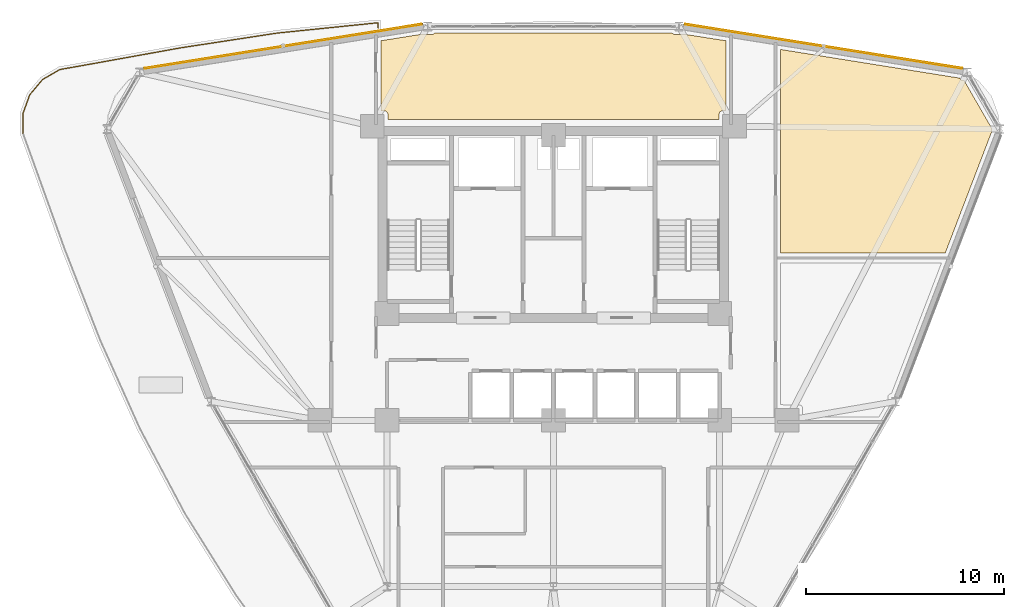
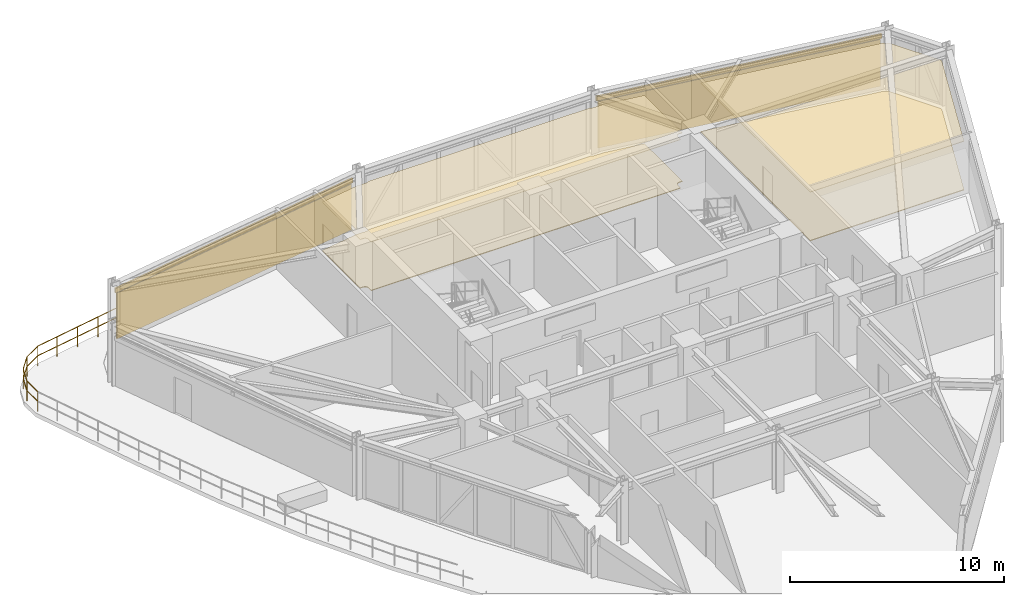
# One storey, part 18 of 18: 6 coverings, 2 shading devices, 1 railing.
"""IFC4 building model written with IfcOpenShell, lengths in metres."""

from ifc_helpers import new_model, si_unit, derived_unit, direction, frame, origin, origin_2d, place, context, subcontext, project, spatial, polyline, hollow_rectangle, circle, outline, extrude, source, transform, mapped, material, layer, layer_set, material_profile, profile_set, type_object, element, save


model = new_model("IFC4")

# Units and contexts
model_context = context("Model", 3, precision=1e-05, world=origin(), true_north=direction((0.0, 1.0)))
body_context = subcontext(model_context, "Body", "Model", "MODEL_VIEW")
ifc_project = project(units=[si_unit("LENGTHUNIT", "METRE"), si_unit("AREAUNIT", "SQUARE_METRE"), si_unit("VOLUMEUNIT", "CUBIC_METRE"), si_unit("PLANEANGLEUNIT", "RADIAN"), si_unit("MASSUNIT", "GRAM", prefix="KILO"), derived_unit("THERMALTRANSMITTANCEUNIT", [(si_unit("POWERUNIT", "WATT"), 1), (si_unit("LENGTHUNIT", "METRE"), -2), (si_unit("THERMODYNAMICTEMPERATUREUNIT", "KELVIN"), -1)])], contexts=[model_context])

# Site, building, storey
site_placement = place(None, origin())
site = spatial("IfcSite", under=ifc_project, at=site_placement, CompositionType="ELEMENT")
building_placement = place(site_placement, origin())
building = spatial("IfcBuilding", under=site, at=building_placement, Name="Korsvarv Bourse and Concert Hall", CompositionType="ELEMENT")
storey_placement = place(building_placement, frame((0.0, 0.0, 168.60009765625)))
storey = spatial("IfcBuildingStorey", under=building, at=storey_placement, Name="L43", CompositionType="ELEMENT", Elevation=168.60009765625)

# Coverings
ifc_material_1 = material(Name="Perforated mineral-wool and birch acoustic baffle ceiling", Category="wood")
ifc_layer_1 = layer(ifc_material_1, 0.02490234375)
ifc_layer_set_1 = layer_set([ifc_layer_1], Name="Perforated mineral-wool and birch acoustic baffle ceiling")
covering_type_1 = type_object("IfcCoveringType", Name="COV-CEIL-1", PredefinedType="CEILING", material=ifc_layer_set_1)
covering_1_placement = place(storey_placement, frame((0.0, 0.0, 2.77978515625)))
element("IfcCovering", 1, at=covering_1_placement, inside=storey, type_object=covering_type_1, Name="L43 acoustic baffle ceiling 1", PredefinedType="CEILING", context=body_context, shape_type="SweptSolid", body=[
    extrude(outline(polyline([(56.520751953125, 49.68701171875), (56.5380859375, 49.6552734375), (56.5615234375, 49.627685546875), (56.590087890625, 49.60546875), (56.622314453125, 49.589111328125), (56.6572265625, 49.579833984375), (56.741455078125, 49.57373046875), (58.157958984375, 47.120361328125), (58.157958984375, 47.031005859375), (55.79248046875, 40.85009765625), (47.47998046875, 40.85009765625), (47.47998046875, 51.1328125), (56.520751953125, 49.68701171875)])), origin(), (0.0, 0.0, 1.0), 0.025146484375),
])
covering_2_placement = place(storey_placement, frame((0.0, 0.0, 2.77978515625)))
element("IfcCovering", 2, at=covering_2_placement, inside=storey, type_object=covering_type_1, Name="L43 acoustic baffle ceiling 2", PredefinedType="CEILING", context=body_context, shape_type="SweptSolid", body=[
    extrude(outline(polyline([(29.38037109375, 51.907958984375), (29.41650390625, 51.899658203125), (29.855712890625, 51.888427734375), (29.890380859375, 51.890869140625), (29.923828125, 51.89990234375), (29.954833984375, 51.915283203125), (29.982421875, 51.936279296875), (30.000244140625, 51.955810546875), (41.998291015625, 51.955810546875), (42.013916015625, 51.940673828125), (42.04248046875, 51.9208984375), (42.074462890625, 51.906982421875), (42.1083984375, 51.899658203125), (42.547607421875, 51.888427734375), (42.5830078125, 51.89111328125), (42.6171875, 51.900390625), (44.7099609375, 51.57470703125), (44.7099609375, 48.0400390625), (44.550048828125, 48.0400390625), (44.515380859375, 48.03662109375), (44.482177734375, 48.026611328125), (44.451416015625, 48.010498046875), (44.42431640625, 47.98876953125), (44.40185546875, 47.962158203125), (44.385009765625, 47.931640625), (44.374267578125, 47.898681640625), (44.3701171875, 47.864013671875), (44.364013671875, 47.60009765625), (27.639892578125, 47.60009765625), (27.639892578125, 47.85009765625), (27.63671875, 47.884521484375), (27.626708984375, 47.917724609375), (27.610595703125, 47.948486328125), (27.589111328125, 47.975341796875), (27.562744140625, 47.997802734375), (27.532470703125, 48.014892578125), (27.49951171875, 48.025634765625), (27.465087890625, 48.02978515625), (27.2900390625, 48.034912109375), (27.2900390625, 51.57470703125), (29.38037109375, 51.907958984375)])), origin(), (0.0, 0.0, 1.0), 0.025146484375),
])
ifc_material_2 = material(Name="Warm iron-oxide extruded terracotta rainscreen tile", Category="ceramic")
ifc_layer_2 = layer(ifc_material_2, 0.044921875)
ifc_layer_set_2 = layer_set([ifc_layer_2], Name="Warm iron-oxide extruded terracotta rainscreen tile")
covering_type_2 = type_object("IfcCoveringType", Name="COV-CLD-TC", PredefinedType="CLADDING", material=ifc_layer_set_2)
covering_3_placement = place(storey_placement, origin())
element("IfcCovering", 3, at=covering_3_placement, inside=storey, type_object=covering_type_2, Name="L43 fluted terracotta cladding panel EW-L43-B02", PredefinedType="CLADDING", context=body_context, shape_type="SweptSolid", body=[
    extrude(outline(polyline([(56.633544921875, 50.154541015625), (42.6572265625, 52.3828125), (42.664306640625, 52.427490234375), (56.640625, 50.198974609375), (56.633544921875, 50.154541015625)])), origin(), (0.0, 0.0, 1.0), 2.679931640625),
])
covering_4_placement = place(storey_placement, origin())
element("IfcCovering", 4, at=covering_4_placement, inside=storey, type_object=covering_type_2, Name="L43 fluted terracotta cladding panel EW-L43-B04", PredefinedType="CLADDING", context=body_context, shape_type="SweptSolid", body=[
    extrude(outline(polyline([(29.3427734375, 52.3828125), (15.366455078125, 50.154541015625), (15.359375, 50.198974609375), (29.335693359375, 52.427490234375), (29.3427734375, 52.3828125)])), origin(), (0.0, 0.0, 1.0), 2.6298828125),
])
ifc_material_3 = material(Name="Calcium-sulphate raised access trading floor with Nordic oak top", Category="wood")
ifc_layer_3 = layer(ifc_material_3, 0.0400390625)
ifc_layer_set_3 = layer_set([ifc_layer_3], Name="Calcium-sulphate raised access trading floor with Nordic oak top")
covering_type_3 = type_object("IfcCoveringType", Name="COV-FLOR-1", PredefinedType="FLOORING", material=ifc_layer_set_3)
covering_5_placement = place(storey_placement, origin())
element("IfcCovering", 5, at=covering_5_placement, inside=storey, type_object=covering_type_3, Name="L43 raised access oak floor finish 1", PredefinedType="FLOORING", context=body_context, shape_type="SweptSolid", body=[
    extrude(outline(polyline([(56.520751953125, 49.68701171875), (56.5380859375, 49.6552734375), (56.5615234375, 49.627685546875), (56.590087890625, 49.60546875), (56.622314453125, 49.589111328125), (56.6572265625, 49.579833984375), (56.741455078125, 49.57373046875), (58.157958984375, 47.120361328125), (58.157958984375, 47.031005859375), (55.79248046875, 40.85009765625), (47.47998046875, 40.85009765625), (47.47998046875, 51.1328125), (56.520751953125, 49.68701171875)])), origin(), (0.0, 0.0, 1.0), 0.039794921875),
])
covering_6_placement = place(storey_placement, origin())
element("IfcCovering", 6, at=covering_6_placement, inside=storey, type_object=covering_type_3, Name="L43 raised access oak floor finish 2", PredefinedType="FLOORING", context=body_context, shape_type="SweptSolid", body=[
    extrude(outline(polyline([(29.38037109375, 51.907958984375), (29.41650390625, 51.899658203125), (29.855712890625, 51.888427734375), (29.890380859375, 51.890869140625), (29.923828125, 51.89990234375), (29.954833984375, 51.915283203125), (29.982421875, 51.936279296875), (30.000244140625, 51.955810546875), (41.998291015625, 51.955810546875), (42.013916015625, 51.940673828125), (42.04248046875, 51.9208984375), (42.074462890625, 51.906982421875), (42.1083984375, 51.899658203125), (42.547607421875, 51.888427734375), (42.5830078125, 51.89111328125), (42.6171875, 51.900390625), (44.7099609375, 51.57470703125), (44.7099609375, 48.0400390625), (44.550048828125, 48.0400390625), (44.515380859375, 48.03662109375), (44.482177734375, 48.026611328125), (44.451416015625, 48.010498046875), (44.42431640625, 47.98876953125), (44.40185546875, 47.962158203125), (44.385009765625, 47.931640625), (44.374267578125, 47.898681640625), (44.3701171875, 47.864013671875), (44.364013671875, 47.60009765625), (27.639892578125, 47.60009765625), (27.639892578125, 47.85009765625), (27.63671875, 47.884521484375), (27.626708984375, 47.917724609375), (27.610595703125, 47.948486328125), (27.589111328125, 47.975341796875), (27.562744140625, 47.997802734375), (27.532470703125, 48.014892578125), (27.49951171875, 48.025634765625), (27.465087890625, 48.02978515625), (27.2900390625, 48.034912109375), (27.2900390625, 51.57470703125), (29.38037109375, 51.907958984375)])), origin(), (0.0, 0.0, 1.0), 0.039794921875),
])

# Railing
ifc_material_4 = material(Name="Laminated safety glass and stainless Steel S355 balustrade", Category="steel")
railing_type = type_object("IfcRailingType", Name="RL-BAL-EXT", PredefinedType="BALUSTRADE", material=ifc_material_4)
railing_placement = place(storey_placement, frame((9.2060546875, 46.893310546875, 0.0)))
element("IfcRailing", 7, at=railing_placement, inside=storey, type_object=railing_type, Name="L43 terrace perimeter balustrade SKYG1-1", PredefinedType="BALUSTRADE", context=body_context, shape_type="SweptSolid", body=[
    extrude(circle(Radius=0.02392578125, at=origin_2d()), frame((0.0, 0.0, 1.1259765625), z_axis=(0.0, 1.0, 0.0), x_axis=(-1.0, 0.0, 0.0)), (0.0, 0.0, 1.0), 1.006591796875),
    extrude(circle(Radius=0.02392578125, at=origin_2d()), frame((0.0, 0.0, 0.574951171875), z_axis=(0.0, 1.0, 0.0), x_axis=(-1.0, 0.0, 0.0)), (0.0, 0.0, 1.0), 1.006591796875),
    extrude(circle(Radius=0.02392578125, at=origin_2d()), frame((0.0, 1.006591796875, 1.1259765625), z_axis=(0.342015712262, 0.939694233549, 0.0), x_axis=(-0.939694233549, 0.342015712262, 0.0)), (0.0, 0.0, 1.0), 1.006591796875),
    extrude(circle(Radius=0.02392578125, at=origin_2d()), frame((0.0, 1.006591796875, 0.574951171875), z_axis=(0.342015712262, 0.939694233549, 0.0), x_axis=(-0.939694233549, 0.342015712262, 0.0)), (0.0, 0.0, 1.0), 1.006591796875),
    extrude(circle(Radius=0.02392578125, at=origin_2d()), frame((0.34423828125, 1.952392578125, 1.1259765625), z_axis=(0.64282805861, 0.766010500622, 0.0), x_axis=(-0.766010500622, 0.64282805861, 0.0)), (0.0, 0.0, 1.0), 1.0068359375),
    extrude(circle(Radius=0.02392578125, at=origin_2d()), frame((0.34423828125, 1.952392578125, 0.574951171875), z_axis=(0.64282805861, 0.766010500622, 0.0), x_axis=(-0.766010500622, 0.64282805861, 0.0)), (0.0, 0.0, 1.0), 1.0068359375),
    extrude(circle(Radius=0.02392578125, at=origin_2d()), frame((0.991455078125, 2.7236328125, 1.1259765625), z_axis=(0.866040157966, 0.499974444137, 0.0), x_axis=(-0.499974444137, 0.866040157966, 0.0)), (0.0, 0.0, 1.0), 1.00634765625),
    extrude(circle(Radius=0.02392578125, at=origin_2d()), frame((0.991455078125, 2.7236328125, 0.574951171875), z_axis=(0.866040157966, 0.499974444137, 0.0), x_axis=(-0.499974444137, 0.866040157966, 0.0)), (0.0, 0.0, 1.0), 1.00634765625),
    extrude(circle(Radius=0.02392578125, at=origin_2d()), frame((1.863037109375, 3.226806640625, 1.1259765625), z_axis=(0.984789760896, 0.173750185134, 0.0), x_axis=(-0.173750185134, 0.984789760896, 0.0)), (0.0, 0.0, 1.0), 1.188720703125),
    extrude(circle(Radius=0.02392578125, at=origin_2d()), frame((1.863037109375, 3.226806640625, 0.574951171875), z_axis=(0.984789760896, 0.173750185134, 0.0), x_axis=(-0.173750185134, 0.984789760896, 0.0)), (0.0, 0.0, 1.0), 1.188720703125),
    extrude(circle(Radius=0.02392578125, at=origin_2d()), frame((3.03369140625, 3.433349609375, 1.1259765625), z_axis=(0.984133585081, 0.177429103351, 0.0), x_axis=(-0.177429103351, 0.984133585081, 0.0)), (0.0, 0.0, 1.0), 5.001708984375),
    extrude(circle(Radius=0.02392578125, at=origin_2d()), frame((3.03369140625, 3.433349609375, 0.574951171875), z_axis=(0.984133585081, 0.177429103351, 0.0), x_axis=(-0.177429103351, 0.984133585081, 0.0)), (0.0, 0.0, 1.0), 5.001708984375),
    extrude(circle(Radius=0.02392578125, at=origin_2d()), frame((7.9560546875, 4.32080078125, 1.1259765625), z_axis=(0.988518745259, 0.151098280175, 0.0), x_axis=(-0.151098280175, 0.988518745259, 0.0)), (0.0, 0.0, 1.0), 4.95556640625),
    extrude(circle(Radius=0.02392578125, at=origin_2d()), frame((7.9560546875, 4.32080078125, 0.574951171875), z_axis=(0.988518745259, 0.151098280175, 0.0), x_axis=(-0.151098280175, 0.988518745259, 0.0)), (0.0, 0.0, 1.0), 4.95556640625),
    extrude(circle(Radius=0.02392578125, at=origin_2d()), frame((12.854736328125, 5.069580078125, 1.1259765625), z_axis=(0.994822842588, 0.101624366494, 0.0), x_axis=(-0.101624366494, 0.994822842588, 0.0)), (0.0, 0.0, 1.0), 4.90087890625),
    extrude(circle(Radius=0.02392578125, at=origin_2d()), frame((12.854736328125, 5.069580078125, 0.574951171875), z_axis=(0.994822842588, 0.101624366494, 0.0), x_axis=(-0.101624366494, 0.994822842588, 0.0)), (0.0, 0.0, 1.0), 4.90087890625),
    extrude(circle(Radius=0.02392578125, at=origin_2d()), frame((17.730224609375, 5.567626953125, 1.1259765625), z_axis=(0.999372998353, 0.035406357656, 0.0), x_axis=(-0.035406357656, 0.999372998353, 0.0)), (0.0, 0.0, 1.0), 0.2138671875),
    extrude(circle(Radius=0.02392578125, at=origin_2d()), frame((17.730224609375, 5.567626953125, 0.574951171875), z_axis=(0.999372998353, 0.035406357656, 0.0), x_axis=(-0.035406357656, 0.999372998353, 0.0)), (0.0, 0.0, 1.0), 0.2138671875),
    extrude(circle(Radius=0.02392578125, at=origin_2d()), frame((17.94384765625, 5.5751953125, 1.1259765625), z_axis=(0.0, -1.0, 0.0), x_axis=(1.0, 0.0, 0.0)), (0.0, 0.0, 1.0), 0.25927734375),
    extrude(circle(Radius=0.02392578125, at=origin_2d()), frame((17.94384765625, 5.5751953125, 0.574951171875), z_axis=(0.0, -1.0, 0.0), x_axis=(1.0, 0.0, 0.0)), (0.0, 0.0, 1.0), 0.25927734375),
    extrude(circle(Radius=0.02099609375, at=origin_2d()), origin(), (0.0, 0.0, 1.0), 1.101806640625),
    extrude(circle(Radius=0.02099609375, at=origin_2d()), frame((0.0, 1.006591796875, 0.0)), (0.0, 0.0, 1.0), 1.101806640625),
    extrude(circle(Radius=0.02099609375, at=origin_2d()), frame((0.34423828125, 1.952392578125, 0.0)), (0.0, 0.0, 1.0), 1.101806640625),
    extrude(circle(Radius=0.02099609375, at=origin_2d()), frame((0.991455078125, 2.7236328125, 0.0)), (0.0, 0.0, 1.0), 1.101806640625),
    extrude(circle(Radius=0.02099609375, at=origin_2d()), frame((1.863037109375, 3.226806640625, 0.0)), (0.0, 0.0, 1.0), 1.101806640625),
    extrude(circle(Radius=0.02099609375, at=origin_2d()), frame((3.03369140625, 3.433349609375, 0.0)), (0.0, 0.0, 1.0), 1.101806640625),
    extrude(circle(Radius=0.02099609375, at=origin_2d()), frame((4.26416015625, 3.6552734375, 0.0)), (0.0, 0.0, 1.0), 1.101806640625),
    extrude(circle(Radius=0.02099609375, at=origin_2d()), frame((5.494873046875, 3.876953125, 0.0)), (0.0, 0.0, 1.0), 1.101806640625),
    extrude(circle(Radius=0.02099609375, at=origin_2d()), frame((6.7255859375, 4.098876953125, 0.0)), (0.0, 0.0, 1.0), 1.101806640625),
    extrude(circle(Radius=0.02099609375, at=origin_2d()), frame((7.9560546875, 4.32080078125, 0.0)), (0.0, 0.0, 1.0), 1.101806640625),
    extrude(circle(Radius=0.02099609375, at=origin_2d()), frame((9.1806640625, 4.508056640625, 0.0)), (0.0, 0.0, 1.0), 1.101806640625),
    extrude(circle(Radius=0.02099609375, at=origin_2d()), frame((10.4052734375, 4.6953125, 0.0)), (0.0, 0.0, 1.0), 1.101806640625),
    extrude(circle(Radius=0.02099609375, at=origin_2d()), frame((11.630126953125, 4.88232421875, 0.0)), (0.0, 0.0, 1.0), 1.101806640625),
    extrude(circle(Radius=0.02099609375, at=origin_2d()), frame((12.854736328125, 5.069580078125, 0.0)), (0.0, 0.0, 1.0), 1.101806640625),
    extrude(circle(Radius=0.02099609375, at=origin_2d()), frame((14.07373046875, 5.194091796875, 0.0)), (0.0, 0.0, 1.0), 1.101806640625),
    extrude(circle(Radius=0.02099609375, at=origin_2d()), frame((15.29248046875, 5.318603515625, 0.0)), (0.0, 0.0, 1.0), 1.101806640625),
    extrude(circle(Radius=0.02099609375, at=origin_2d()), frame((16.51123046875, 5.443115234375, 0.0)), (0.0, 0.0, 1.0), 1.101806640625),
    extrude(circle(Radius=0.02099609375, at=origin_2d()), frame((17.730224609375, 5.567626953125, 0.0)), (0.0, 0.0, 1.0), 1.101806640625),
    extrude(circle(Radius=0.02099609375, at=origin_2d()), frame((17.94384765625, 5.5751953125, 0.0)), (0.0, 0.0, 1.0), 1.101806640625),
    extrude(circle(Radius=0.02099609375, at=origin_2d()), frame((17.94384765625, 5.31591796875, 0.0)), (0.0, 0.0, 1.0), 1.101806640625),
])

# Shading devices
ifc_material_5 = material(Name="Glazed extruded architectural terracotta", Category="ceramic")
ifc_material_profile = material_profile(ifc_material_5, hollow_rectangle(XDim=0.090087890625, YDim=0.260009765625, WallThickness=0.011962890625, at=origin_2d()), Name="TC-BAG 90x260")
ifc_profile_set = profile_set([ifc_material_profile], Name="Glazed extruded architectural terracotta")
shading_device_type = type_object("IfcShadingDeviceType", Name="SHD-BAG-1", PredefinedType="USERDEFINED", material=ifc_profile_set)
shared_shape = source(origin(), body_context, "Body", "SweptSolid", [
    extrude(hollow_rectangle(XDim=0.090087890625, YDim=0.260009765625, WallThickness=0.011962890625, at=origin_2d()), origin(), (0.0, 0.0, 1.0), 14.312744140625),
])
for number, where, z_axis, x_axis, name in (
    (8, (56.718994140625, 50.181396484375, 2.83984375), (-0.98752574892, 0.157457598167, 0.0), (-0.157457598167, -0.98752574892, 0.0), "L43 terracotta baguette sunshade EW-L43-B02"),
    (9, (29.415283203125, 52.43505859375, 2.789794921875), (-0.98752574892, -0.157457598167, 0.0), (0.157457598167, -0.98752574892, 0.0), "L43 terracotta baguette sunshade EW-L43-B04"),
):
    element("IfcShadingDevice", number, at=place(storey_placement, frame(where, z_axis=z_axis, x_axis=x_axis)), inside=storey, type_object=shading_device_type, Name=name, ObjectType="BAGUETTE", PredefinedType="USERDEFINED", context=body_context, shape_type="MappedRepresentation", body=[
        mapped(shared_shape, transform((0.0, 0.0, 0.0), scale=1.0)),
    ])

save(model, "model.ifc")
